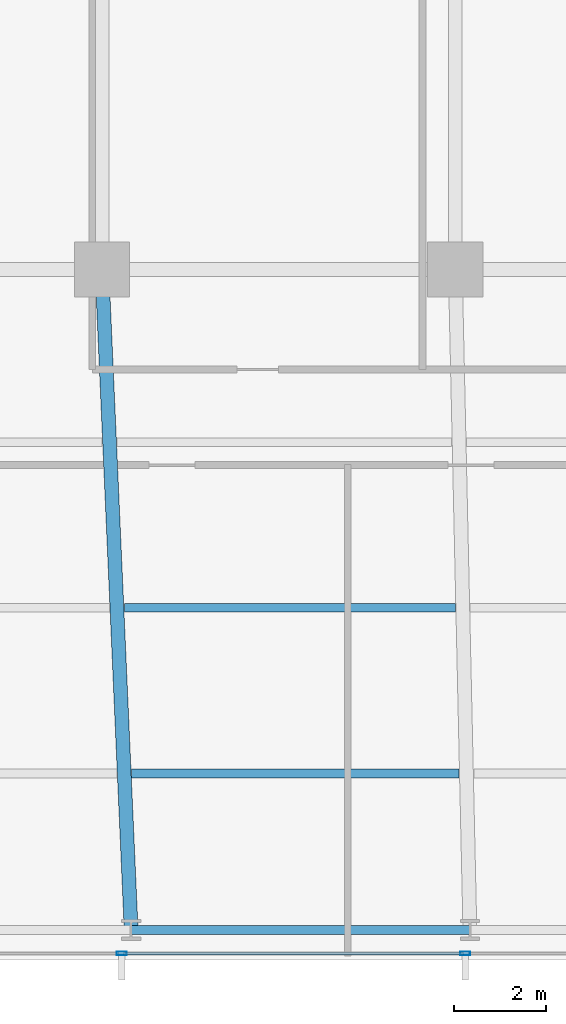
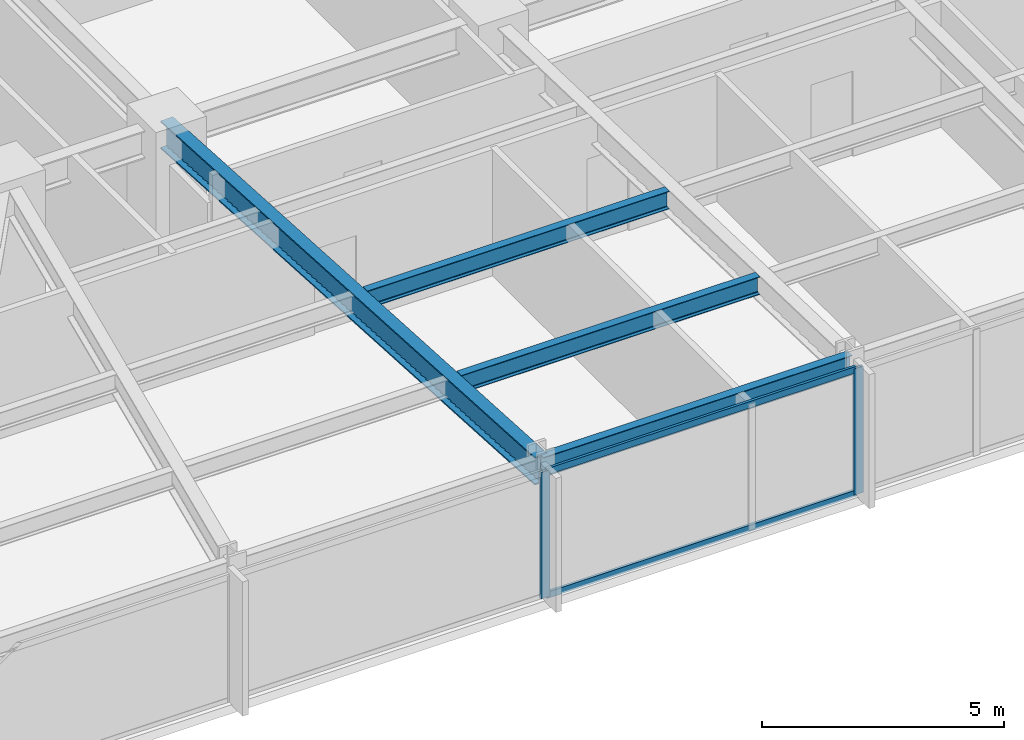
# One storey, part 5 of 32: 4 beams, 4 members, 1 element without a shape of its own.
"""IFC4 building model written with IfcOpenShell, lengths in metres."""

import ifcopenshell
import ifcopenshell.guid

model = None  # the IFC model being written
_history = None  # IfcOwnerHistory: only IFC2X3 demands one
_inside = {}  # id of a spatial element -> (the spatial element, [elements in it])
_under = {}  # id of a project, library or spatial element -> (it, [spatial elements below it])
_declared = {}  # id of a project -> (the project, [libraries it declares])
_typed = {}  # id of a type object -> (the type object, [elements of that type])
_made_of = {}  # id of a material, layer set ... -> (it, [elements and type objects made of it])


def new_model(schema):
    """Start an empty IFC model of exactly this schema.

    Asked for "IFC4X3", IfcOpenShell would pick the latest addendum, in which some entities
    have other attributes; the version numbers below select the first issue.
    IFC2X3 requires an IfcOwnerHistory on every rooted entity: one is made here for all.
    """
    global model, _history
    if schema == "IFC4X3":
        model = ifcopenshell.file(schema_version=(4, 3, 0, 0))
    else:
        model = ifcopenshell.file(schema=schema)
    _inside.clear()
    _under.clear()
    _declared.clear()
    _typed.clear()
    _made_of.clear()
    _history = None
    if model.schema == "IFC2X3":
        org = make("IfcOrganization", Name="unknown")
        user = make(
            "IfcPersonAndOrganization",
            ThePerson=make("IfcPerson", FamilyName="unknown"),
            TheOrganization=org,
        )
        app = make(
            "IfcApplication",
            ApplicationDeveloper=org,
            Version="unknown",
            ApplicationFullName="unknown",
            ApplicationIdentifier="unknown",
        )
        _history = make(
            "IfcOwnerHistory",
            OwningUser=user,
            OwningApplication=app,
            ChangeAction="ADDED",
            CreationDate=0,
        )
    return model


def make(cls, **values):
    """One entity of the class cls with the attributes given. An attribute that is None is left unset."""
    return model.create_entity(
        cls, **{name: value for name, value in values.items() if value is not None}
    )


def rooted(cls, **values):
    """An entity with a GlobalId (a new one), such as an element, a storey or a relation."""
    return make(cls, GlobalId=ifcopenshell.guid.new(), OwnerHistory=_history, **values)


def si_unit(unit_type, name, prefix=None):
    """IfcSIUnit, for example si_unit("LENGTHUNIT", "METRE", prefix="MILLI")."""
    return make("IfcSIUnit", UnitType=unit_type, Prefix=prefix, Name=name)


def assignment(units):
    """IfcUnitAssignment: the units of a project."""
    return None if units is None else make("IfcUnitAssignment", Units=units)


def point(xyz):
    """IfcCartesianPoint."""
    return None if xyz is None else make("IfcCartesianPoint", Coordinates=xyz)


def direction(xyz):
    """IfcDirection."""
    return None if xyz is None else make("IfcDirection", DirectionRatios=xyz)


def frame(location, z_axis=None, x_axis=None):
    """IfcAxis2Placement3D, a coordinate frame: its origin and axes. An axis left out is left unset."""
    return make(
        "IfcAxis2Placement3D",
        Location=point(location),
        Axis=direction(z_axis),
        RefDirection=direction(x_axis),
    )


def frame_2d(location, x_axis=None):
    """IfcAxis2Placement2D, a coordinate frame in the plane: its origin and x axis."""
    return make(
        "IfcAxis2Placement2D", Location=point(location), RefDirection=direction(x_axis)
    )


def origin():
    """The frame at (0, 0, 0) with its axes left unset."""
    return frame((0.0, 0.0, 0.0))


def origin_2d():
    """The frame at (0, 0) in the plane with its x axis left unset."""
    return frame_2d((0.0, 0.0))


def place(relative_to, where):
    """IfcLocalPlacement: puts the frame where relative to a parent placement (None: the world)."""
    return make(
        "IfcLocalPlacement", PlacementRelTo=relative_to, RelativePlacement=where
    )


def context(
    kind, dimensions, precision=None, world=None, true_north=None, identifier=None
):
    """IfcGeometricRepresentationContext, for example the 3D "Model" context."""
    return make(
        "IfcGeometricRepresentationContext",
        ContextIdentifier=identifier,
        ContextType=kind,
        CoordinateSpaceDimension=dimensions,
        Precision=precision,
        WorldCoordinateSystem=world,
        TrueNorth=true_north,
    )


def subcontext(parent, identifier, kind, view, scale=None):
    """IfcGeometricRepresentationSubContext, for example "Body" below "Model"."""
    return make(
        "IfcGeometricRepresentationSubContext",
        ContextIdentifier=identifier,
        ContextType=kind,
        ParentContext=parent,
        TargetScale=scale,
        TargetView=view,
    )


def project(units=None, contexts=None):
    """IfcProject with its units and contexts."""
    return rooted(
        "IfcProject",
        Name="project",
        RepresentationContexts=contexts,
        UnitsInContext=assignment(units),
    )


def spatial(cls, under=None, at=None, **own):
    """A site, building, storey or space (cls), placed at a placement, below another one or the project."""
    s = rooted(cls, ObjectPlacement=at, **own)
    if under is not None:
        _under.setdefault(under.id(), (under, []))[1].append(s)
    return s


def profile(cls, at=None, kind="AREA", **sizes):
    """A parametric profile (cls). Its sizes go by their IFC names, for example OverallWidth=200.0."""
    return make(cls, ProfileType=kind, Position=at, **sizes)


def hollow_rectangle(**sizes):
    """IfcRectangleHollowProfileDef."""
    return profile("IfcRectangleHollowProfileDef", **sizes)


def i_section(**sizes):
    """IfcIShapeProfileDef."""
    return profile("IfcIShapeProfileDef", **sizes)


def extrude(swept, where, along, depth):
    """IfcExtrudedAreaSolid: the profile swept, set in the frame where, extruded along a direction by depth."""
    return make(
        "IfcExtrudedAreaSolid",
        SweptArea=swept,
        Position=where,
        ExtrudedDirection=direction(along),
        Depth=depth,
    )


def shape(context_of_items, identifier, shape_type, items):
    """IfcShapeRepresentation: the items that make up one representation, for example the "Body"."""
    return make(
        "IfcShapeRepresentation",
        ContextOfItems=context_of_items,
        RepresentationIdentifier=identifier,
        RepresentationType=shape_type,
        Items=items,
    )


def material(Name=None, Category=None):
    """IfcMaterial."""
    return make("IfcMaterial", Name=Name, Category=Category)


def material_profile(
    of_material, cross_section, Name=None, Category=None, Priority=None
):
    """IfcMaterialProfile: a cross section and its material."""
    return make(
        "IfcMaterialProfile",
        Name=Name,
        Material=of_material,
        Profile=cross_section,
        Priority=Priority,
        Category=Category,
    )


def profile_set(profiles, Name=None, composite=None):
    """IfcMaterialProfileSet."""
    return make(
        "IfcMaterialProfileSet",
        Name=Name,
        MaterialProfiles=profiles,
        CompositeProfile=composite,
    )


def made_of(thing, what):
    """Note that an element or type object is made of a material, layer set ...; save() writes the relation."""
    if what is not None:
        _made_of.setdefault(what.id(), (what, []))[1].append(thing)
    return thing


def type_object(cls, material=None, **own):
    """A type object (cls), such as IfcWallType, which elements share."""
    return made_of(rooted(cls, **own), material)


def element(
    cls,
    number,
    at=None,
    inside=None,
    cuts=None,
    type_object=None,
    material=None,
    context=None,
    identifier="Body",
    shape_type=None,
    held_by="IfcProductDefinitionShape",
    body=None,
    shapes=None,
    **own,
):
    """One element of the class cls, such as IfcWall. Its Tag is "e" and its number.

    at: its placement. inside: the storey or other place that contains it. cuts: it is an
    opening in that element (IfcRelVoidsElement). A single representation is given by context,
    identifier, shape_type and body (its items); several are given by shapes. held_by: the class
    of the entity that holds the representations. save() writes the other relations.
    """
    e = rooted(cls, Tag="e%d" % number, ObjectPlacement=at, **own)
    if body is not None:
        shapes = [shape(context, identifier, shape_type, body)]
    if shapes is not None:
        e.Representation = make(held_by, Representations=shapes)
    if inside is not None:
        _inside.setdefault(inside.id(), (inside, []))[1].append(e)
    if cuts is not None:
        rooted(
            "IfcRelVoidsElement", RelatingBuildingElement=cuts, RelatedOpeningElement=e
        )
    if type_object is not None:
        _typed.setdefault(type_object.id(), (type_object, []))[1].append(e)
    return made_of(e, material)


def aggregate(whole, parts):
    """IfcRelAggregates: a whole, such as a stair, and the parts it consists of."""
    return rooted("IfcRelAggregates", RelatingObject=whole, RelatedObjects=parts)


def save(model, path):
    """Write the relations noted so far, then the file.

    IfcRelAggregates (storeys below a building ...), IfcRelContainedInSpatialStructure (elements
    in a storey), IfcRelDefinesByType, IfcRelAssociatesMaterial and IfcRelDeclares: one each for
    every whole, place, type object, material and project.
    """
    for whole, parts in _under.values():
        aggregate(whole, parts)
    for where, things in _inside.values():
        rooted(
            "IfcRelContainedInSpatialStructure",
            RelatedElements=things,
            RelatingStructure=where,
        )
    for kind, things in _typed.values():
        rooted("IfcRelDefinesByType", RelatedObjects=things, RelatingType=kind)
    for what, things in _made_of.values():
        rooted("IfcRelAssociatesMaterial", RelatedObjects=things, RelatingMaterial=what)
    for by, libraries in _declared.values():
        rooted("IfcRelDeclares", RelatingContext=by, RelatedDefinitions=libraries)
    model.write(path)


model = new_model("IFC4")

# Units and contexts
model_context = context("Model", 3, precision=1e-05, world=origin(), true_north=direction((0.0, 1.0)))
body_context = subcontext(model_context, "Body", "Model", "MODEL_VIEW")
ifc_project = project(units=[si_unit("LENGTHUNIT", "METRE"), si_unit("AREAUNIT", "SQUARE_METRE"), si_unit("VOLUMEUNIT", "CUBIC_METRE"), si_unit("PLANEANGLEUNIT", "RADIAN"), si_unit("MASSUNIT", "GRAM", prefix="KILO")], contexts=[model_context])

# Site, building, storey
site_placement = place(None, origin())
site = spatial("IfcSite", under=ifc_project, at=site_placement, CompositionType="ELEMENT")
building_placement = place(site_placement, origin())
building = spatial("IfcBuilding", under=site, at=building_placement, Name="Yelkora Congress Tower", CompositionType="ELEMENT")
storey_placement = place(building_placement, frame((0.0, 0.0, 44.0)))
storey = spatial("IfcBuildingStorey", under=building, at=storey_placement, Name="L10", CompositionType="ELEMENT", Elevation=44.0)

# Beams
ifc_material_1 = material(Name="Steel S355J2", Category="steel")
ifc_material_profile_1 = material_profile(ifc_material_1, i_section(OverallWidth=0.300048828125, OverallDepth=0.699951171875, WebThickness=0.01708984375, FlangeThickness=0.031982421875, FilletRadius=0.027099609375, at=origin_2d()), Name="HEB 700")
ifc_profile_set_1 = profile_set([ifc_material_profile_1], Name="Steel S355J2")
beam_type_1 = type_object("IfcBeamType", Name="BM-GIRD-HEB700", PredefinedType="BEAM", material=ifc_profile_set_1)
beam_1_placement = place(storey_placement, frame((23.675048828125, 10.85009765625, 2.830078125), z_axis=(-0.044208738849, 0.999022315771, 0.0), x_axis=(-0.999022315771, -0.044208738849, 0.0)))
element("IfcBeam", 1, at=beam_1_placement, inside=storey, type_object=beam_type_1, Name="L10 Primary Frame Girder S03", PredefinedType="BEAM", context=body_context, shape_type="SweptSolid", body=[
    extrude(i_section(OverallWidth=0.300048828125, OverallDepth=0.699951171875, WebThickness=0.01708984375, FlangeThickness=0.031982421875, FilletRadius=0.027099609375, at=origin_2d()), origin(), (0.0, 0.0, 1.0), 14.364013671875),
])
ifc_material_profile_2 = material_profile(ifc_material_1, i_section(OverallWidth=0.18994140625, OverallDepth=0.449951171875, WebThickness=0.009521484375, FlangeThickness=0.0146484375, FilletRadius=0.02099609375, at=origin_2d()), Name="IPE 450")
ifc_profile_set_2 = profile_set([ifc_material_profile_2], Name="Steel S355J2")
beam_type_2 = type_object("IfcBeamType", Name="BM-JOIST-IPE450", PredefinedType="JOIST", material=ifc_profile_set_2)
beam_2_placement = place(storey_placement, frame((23.6845703125, 14.25, 2.955078125), z_axis=(1.0, 0.0, 0.0), x_axis=(0.0, 1.0, 0.0)))
element("IfcBeam", 2, at=beam_2_placement, inside=storey, type_object=beam_type_2, Name="L10 Composite Floor Joist 3", PredefinedType="JOIST", context=body_context, shape_type="SweptSolid", body=[
    extrude(i_section(OverallWidth=0.18994140625, OverallDepth=0.449951171875, WebThickness=0.009521484375, FlangeThickness=0.0146484375, FilletRadius=0.02099609375, at=origin_2d()), origin(), (0.0, 0.0, 1.0), 7.11767578125),
])
beam_3_placement = place(storey_placement, frame((23.525146484375, 17.85009765625, 2.955078125), z_axis=(1.0, 0.0, 0.0), x_axis=(0.0, 1.0, 0.0)))
element("IfcBeam", 3, at=beam_3_placement, inside=storey, type_object=beam_type_2, Name="L10 Composite Floor Joist 11", PredefinedType="JOIST", context=body_context, shape_type="SweptSolid", body=[
    extrude(i_section(OverallWidth=0.18994140625, OverallDepth=0.449951171875, WebThickness=0.009521484375, FlangeThickness=0.0146484375, FilletRadius=0.02099609375, at=origin_2d()), origin(), (0.0, 0.0, 1.0), 7.197509765625),
])
ifc_material_profile_3 = material_profile(ifc_material_1, i_section(OverallWidth=0.199951171875, OverallDepth=0.5, WebThickness=0.01025390625, FlangeThickness=0.01611328125, FilletRadius=0.02099609375, at=origin_2d()), Name="IPE 500")
ifc_profile_set_3 = profile_set([ifc_material_profile_3], Name="Steel S355J2")
beam_type_3 = type_object("IfcBeamType", Name="BM-SPAN-IPE500", PredefinedType="SPANDREL", material=ifc_profile_set_3)
beam_4_placement = place(storey_placement, frame((23.675048828125, 10.85009765625, 2.929931640625), z_axis=(1.0, 0.0, 0.0), x_axis=(0.0, 1.0, 0.0)))
element("IfcBeam", 4, at=beam_4_placement, inside=storey, type_object=beam_type_3, Name="L10 Perimeter Beam 4", PredefinedType="SPANDREL", context=body_context, shape_type="SweptSolid", body=[
    extrude(i_section(OverallWidth=0.199951171875, OverallDepth=0.5, WebThickness=0.01025390625, FlangeThickness=0.01611328125, FilletRadius=0.02099609375, at=origin_2d()), origin(), (0.0, 0.0, 1.0), 7.362548828125),
])

# Curtain wall, members
ifc_material_2 = material(Name="Anodised aluminium and insulated glass", Category="aluminium")
curtain_wall_type = type_object("IfcCurtainWallType", Name="CW-SYS-B1", PredefinedType="NOTDEFINED", material=ifc_material_2)
curtain_wall_placement = place(storey_placement, origin())
curtain_wall = element("IfcCurtainWall", 5, at=curtain_wall_placement, inside=storey, type_object=curtain_wall_type, Name="L10 Unitised Curtain Wall 20", PredefinedType="NOTDEFINED")
ifc_material_3 = material(Name="Anodised aluminium 6063-T6", Category="aluminium")
ifc_material_profile_4 = material_profile(ifc_material_3, hollow_rectangle(XDim=0.074951171875, YDim=0.219970703125, WallThickness=0.0048828125, at=origin_2d()), Name="ALU 75x220x5")
ifc_profile_set_4 = profile_set([ifc_material_profile_4], Name="Anodised aluminium 6063-T6")
member_type_1 = type_object("IfcMemberType", Name="MEM-ML-B1", PredefinedType="MULLION", material=ifc_profile_set_4)
member_1_placement = place(storey_placement, frame((30.93505859375, 10.340087890625, 0.0), z_axis=(0.0, 0.0, 1.0), x_axis=(0.0, -1.0, 0.0)))
member_1 = element("IfcMember", 6, at=member_1_placement, type_object=member_type_1, Name="CW-B1 mullion 6", PredefinedType="MULLION", context=body_context, shape_type="SweptSolid", body=[
    extrude(hollow_rectangle(XDim=0.074951171875, YDim=0.219970703125, WallThickness=0.0048828125, at=origin_2d()), origin(), (0.0, 0.0, 1.0), 3.179931640625),
])
member_2_placement = place(storey_placement, frame((23.469970703125, 10.340087890625, 0.0), z_axis=(0.0, 0.0, 1.0), x_axis=(0.0, -1.0, 0.0)))
member_2 = element("IfcMember", 7, at=member_2_placement, type_object=member_type_1, Name="CW-B1 mullion 7", PredefinedType="MULLION", context=body_context, shape_type="SweptSolid", body=[
    extrude(hollow_rectangle(XDim=0.074951171875, YDim=0.219970703125, WallThickness=0.0048828125, at=origin_2d()), origin(), (0.0, 0.0, 1.0), 3.179931640625),
])
ifc_material_profile_5 = material_profile(ifc_material_3, hollow_rectangle(XDim=0.06494140625, YDim=0.159912109375, WallThickness=0.00390625, at=origin_2d()), Name="ALU 65x160x4")
ifc_profile_set_5 = profile_set([ifc_material_profile_5], Name="Anodised aluminium 6063-T6")
member_type_2 = type_object("IfcMemberType", Name="MEM-TR-B1", PredefinedType="USERDEFINED", material=ifc_profile_set_5)
member_3_placement = place(storey_placement, frame((30.8974609375, 10.340087890625, 0.032470703125), z_axis=(-1.0, 0.0, 0.0), x_axis=(0.0, -1.0, 0.0)))
member_3 = element("IfcMember", 8, at=member_3_placement, type_object=member_type_2, Name="CW-B1 transom 6.1", ObjectType="TRANSOM", PredefinedType="USERDEFINED", context=body_context, shape_type="SweptSolid", body=[
    extrude(hollow_rectangle(XDim=0.06494140625, YDim=0.159912109375, WallThickness=0.00390625, at=origin_2d()), origin(), (0.0, 0.0, 1.0), 7.389892578125),
])
member_4_placement = place(storey_placement, frame((30.8974609375, 10.340087890625, 3.1474609375), z_axis=(-1.0, 0.0, 0.0), x_axis=(0.0, -1.0, 0.0)))
member_4 = element("IfcMember", 9, at=member_4_placement, type_object=member_type_2, Name="CW-B1 transom 6.2", ObjectType="TRANSOM", PredefinedType="USERDEFINED", context=body_context, shape_type="SweptSolid", body=[
    extrude(hollow_rectangle(XDim=0.06494140625, YDim=0.159912109375, WallThickness=0.00390625, at=origin_2d()), origin(), (0.0, 0.0, 1.0), 7.389892578125),
])
aggregate(curtain_wall, [member_1, member_2, member_3, member_4])

save(model, "model.ifc")
